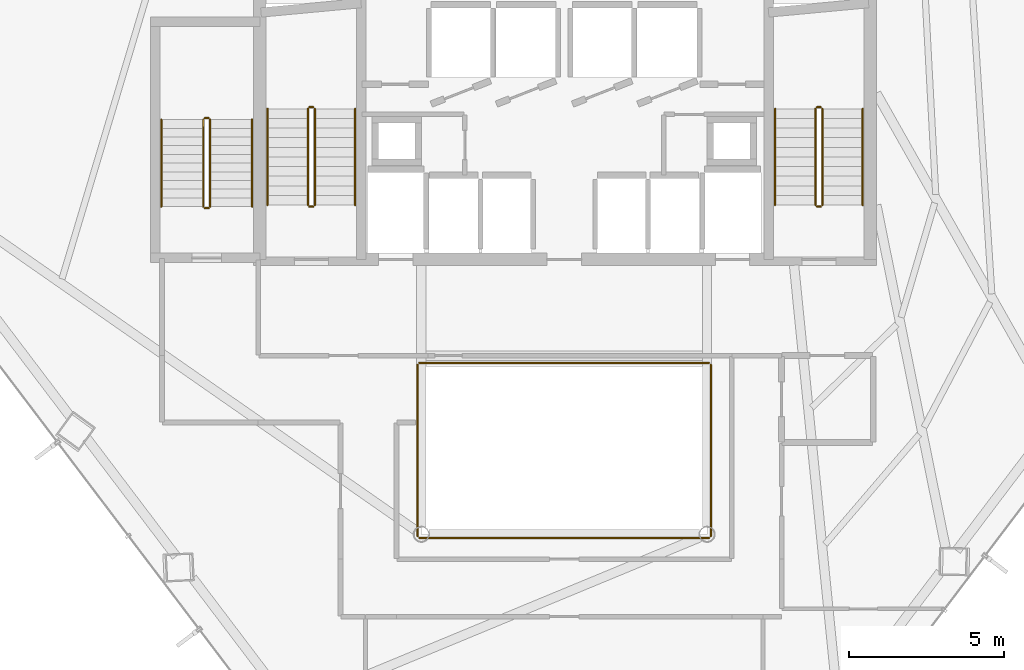
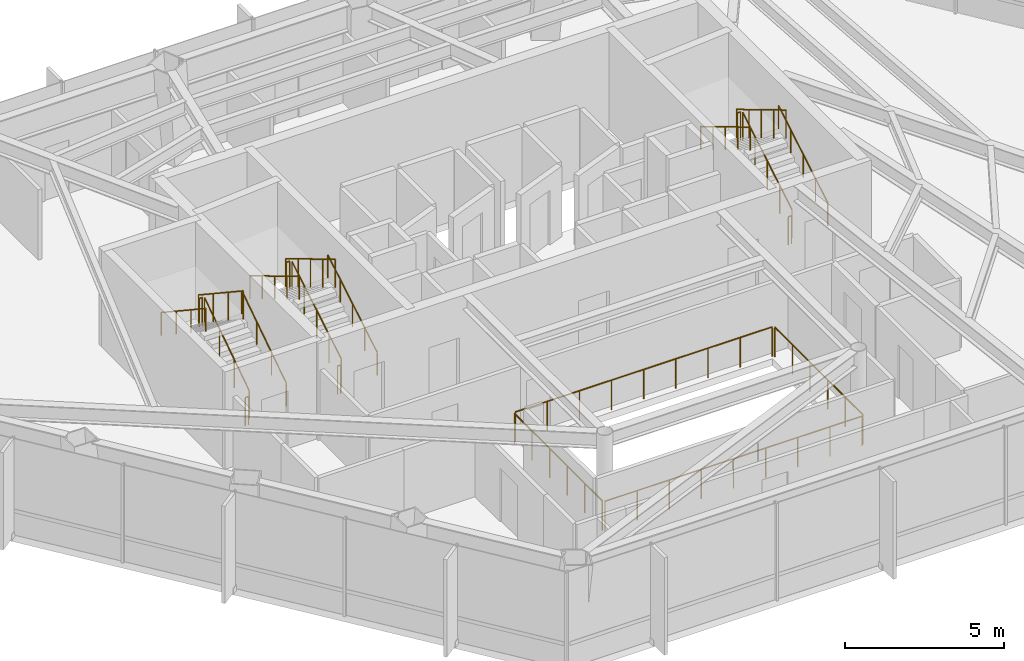
# One storey, part 25 of 25: 22 railings.
"""IFC4 building model written with IfcOpenShell, lengths in metres."""

from ifc_helpers import new_model, si_unit, direction, frame, origin, origin_2d, place, context, subcontext, project, spatial, circle, extrude, material, type_object, element, save


model = new_model("IFC4")

# Units and contexts
model_context = context("Model", 3, precision=1e-05, world=origin(), true_north=direction((0.0, 1.0)))
body_context = subcontext(model_context, "Body", "Model", "MODEL_VIEW")
ifc_project = project(units=[si_unit("LENGTHUNIT", "METRE"), si_unit("AREAUNIT", "SQUARE_METRE"), si_unit("VOLUMEUNIT", "CUBIC_METRE"), si_unit("PLANEANGLEUNIT", "RADIAN"), si_unit("MASSUNIT", "GRAM", prefix="KILO")], contexts=[model_context])

# Site, building, storey
site_placement = place(None, origin())
site = spatial("IfcSite", under=ifc_project, at=site_placement, CompositionType="ELEMENT")
building_placement = place(site_placement, origin())
building = spatial("IfcBuilding", under=site, at=building_placement, Name="Zarrinselat Tower", CompositionType="ELEMENT")
storey_placement = place(building_placement, frame((0.0, 0.0, 105.06005859375)))
storey = spatial("IfcBuildingStorey", under=building, at=storey_placement, Name="L25", CompositionType="ELEMENT", Elevation=105.06005859375)

# Railings
ifc_material_1 = material(Name="Double Low-E Laminated Solar Glass", Category="glass")
railing_type_1 = type_object("IfcRailingType", Name="RLG-ATRIUM-BAL", PredefinedType="BALUSTRADE", material=ifc_material_1)
railing_1_placement = place(storey_placement, frame((33.739990234375, 24.280029296875, 0.0)))
element("IfcRailing", 1, at=railing_1_placement, inside=storey, type_object=railing_type_1, Name="L25 Atrium Void Glass Balustrade S", PredefinedType="BALUSTRADE", context=body_context, shape_type="SweptSolid", body=[
    extrude(circle(Radius=0.02392578125, at=origin_2d()), frame((0.0, 0.0, 1.1259765625), z_axis=(1.0, 0.0, 0.0), x_axis=(0.0, 1.0, 0.0)), (0.0, 0.0, 1.0), 9.320068359375),
    extrude(circle(Radius=0.02099609375, at=origin_2d()), origin(), (0.0, 0.0, 1.0), 1.099853515625),
    extrude(circle(Radius=0.02099609375, at=origin_2d()), frame((1.1650390625, 0.0, 0.0)), (0.0, 0.0, 1.0), 1.099853515625),
    extrude(circle(Radius=0.02099609375, at=origin_2d()), frame((2.330078125, 0.0, 0.0)), (0.0, 0.0, 1.0), 1.099853515625),
    extrude(circle(Radius=0.02099609375, at=origin_2d()), frame((3.4951171875, 0.0, 0.0)), (0.0, 0.0, 1.0), 1.099853515625),
    extrude(circle(Radius=0.02099609375, at=origin_2d()), frame((4.66015625, 0.0, 0.0)), (0.0, 0.0, 1.0), 1.099853515625),
    extrude(circle(Radius=0.02099609375, at=origin_2d()), frame((5.824951171875, 0.0, 0.0)), (0.0, 0.0, 1.0), 1.099853515625),
    extrude(circle(Radius=0.02099609375, at=origin_2d()), frame((6.989990234375, 0.0, 0.0)), (0.0, 0.0, 1.0), 1.099853515625),
    extrude(circle(Radius=0.02099609375, at=origin_2d()), frame((8.155029296875, 0.0, 0.0)), (0.0, 0.0, 1.0), 1.099853515625),
    extrude(circle(Radius=0.02099609375, at=origin_2d()), frame((9.320068359375, 0.0, 0.0)), (0.0, 0.0, 1.0), 1.099853515625),
])
railing_2_placement = place(storey_placement, frame((43.1201171875, 24.340087890625, 0.0)))
element("IfcRailing", 2, at=railing_2_placement, inside=storey, type_object=railing_type_1, Name="L25 Atrium Void Glass Balustrade E", PredefinedType="BALUSTRADE", context=body_context, shape_type="SweptSolid", body=[
    extrude(circle(Radius=0.02392578125, at=origin_2d()), frame((0.0, 0.0, 1.1259765625), z_axis=(0.0, 1.0, 0.0), x_axis=(-1.0, 0.0, 0.0)), (0.0, 0.0, 1.0), 5.52001953125),
    extrude(circle(Radius=0.02099609375, at=origin_2d()), origin(), (0.0, 0.0, 1.0), 1.099853515625),
    extrude(circle(Radius=0.02099609375, at=origin_2d()), frame((0.0, 1.10400390625, 0.0)), (0.0, 0.0, 1.0), 1.099853515625),
    extrude(circle(Radius=0.02099609375, at=origin_2d()), frame((0.0, 2.2080078125, 0.0)), (0.0, 0.0, 1.0), 1.099853515625),
    extrude(circle(Radius=0.02099609375, at=origin_2d()), frame((0.0, 3.31201171875, 0.0)), (0.0, 0.0, 1.0), 1.099853515625),
    extrude(circle(Radius=0.02099609375, at=origin_2d()), frame((0.0, 4.416015625, 0.0)), (0.0, 0.0, 1.0), 1.099853515625),
    extrude(circle(Radius=0.02099609375, at=origin_2d()), frame((0.0, 5.52001953125, 0.0)), (0.0, 0.0, 1.0), 1.099853515625),
])
railing_3_placement = place(storey_placement, frame((43.06005859375, 29.919921875, 0.0)))
element("IfcRailing", 3, at=railing_3_placement, inside=storey, type_object=railing_type_1, Name="L25 Atrium Void Glass Balustrade N", PredefinedType="BALUSTRADE", context=body_context, shape_type="SweptSolid", body=[
    extrude(circle(Radius=0.02392578125, at=origin_2d()), frame((0.0, 0.0, 1.1259765625), z_axis=(-1.0, 0.0, 0.0), x_axis=(0.0, -1.0, 0.0)), (0.0, 0.0, 1.0), 9.320068359375),
    extrude(circle(Radius=0.02099609375, at=origin_2d()), origin(), (0.0, 0.0, 1.0), 1.099853515625),
    extrude(circle(Radius=0.02099609375, at=origin_2d()), frame((-1.1650390625, 0.0, 0.0)), (0.0, 0.0, 1.0), 1.099853515625),
    extrude(circle(Radius=0.02099609375, at=origin_2d()), frame((-2.330078125, 0.0, 0.0)), (0.0, 0.0, 1.0), 1.099853515625),
    extrude(circle(Radius=0.02099609375, at=origin_2d()), frame((-3.4951171875, 0.0, 0.0)), (0.0, 0.0, 1.0), 1.099853515625),
    extrude(circle(Radius=0.02099609375, at=origin_2d()), frame((-4.66015625, 0.0, 0.0)), (0.0, 0.0, 1.0), 1.099853515625),
    extrude(circle(Radius=0.02099609375, at=origin_2d()), frame((-5.824951171875, 0.0, 0.0)), (0.0, 0.0, 1.0), 1.099853515625),
    extrude(circle(Radius=0.02099609375, at=origin_2d()), frame((-6.989990234375, 0.0, 0.0)), (0.0, 0.0, 1.0), 1.099853515625),
    extrude(circle(Radius=0.02099609375, at=origin_2d()), frame((-8.155029296875, 0.0, 0.0)), (0.0, 0.0, 1.0), 1.099853515625),
    extrude(circle(Radius=0.02099609375, at=origin_2d()), frame((-9.320068359375, 0.0, 0.0)), (0.0, 0.0, 1.0), 1.099853515625),
])
railing_4_placement = place(storey_placement, frame((33.679931640625, 29.860107421875, 0.0)))
element("IfcRailing", 4, at=railing_4_placement, inside=storey, type_object=railing_type_1, Name="L25 Atrium Void Glass Balustrade W", PredefinedType="BALUSTRADE", context=body_context, shape_type="SweptSolid", body=[
    extrude(circle(Radius=0.02392578125, at=origin_2d()), frame((0.0, 0.0, 1.1259765625), z_axis=(0.0, -1.0, 0.0), x_axis=(1.0, 0.0, 0.0)), (0.0, 0.0, 1.0), 5.52001953125),
    extrude(circle(Radius=0.02099609375, at=origin_2d()), origin(), (0.0, 0.0, 1.0), 1.099853515625),
    extrude(circle(Radius=0.02099609375, at=origin_2d()), frame((0.0, -1.10400390625, 0.0)), (0.0, 0.0, 1.0), 1.099853515625),
    extrude(circle(Radius=0.02099609375, at=origin_2d()), frame((0.0, -2.2080078125, 0.0)), (0.0, 0.0, 1.0), 1.099853515625),
    extrude(circle(Radius=0.02099609375, at=origin_2d()), frame((0.0, -3.31201171875, 0.0)), (0.0, 0.0, 1.0), 1.099853515625),
    extrude(circle(Radius=0.02099609375, at=origin_2d()), frame((0.0, -4.416015625, 0.0)), (0.0, 0.0, 1.0), 1.099853515625),
    extrude(circle(Radius=0.02099609375, at=origin_2d()), frame((0.0, -5.52001953125, 0.0)), (0.0, 0.0, 1.0), 1.099853515625),
])
ifc_material_2 = material(Name="Steel S355J2", Category="steel")
railing_type_2 = type_object("IfcRailingType", Name="RLG-STAIR-GUARD", PredefinedType="GUARDRAIL", material=ifc_material_2)
railing_5_placement = place(storey_placement, frame((30.3701171875, 35.0, 0.185302734375)))
element("IfcRailing", 5, at=railing_5_placement, inside=storey, type_object=railing_type_2, Name="L25 ST-1 stair guard 1", PredefinedType="GUARDRAIL", context=body_context, shape_type="SweptSolid", body=[
    extrude(circle(Radius=0.02392578125, at=origin_2d()), frame((0.0, 0.0, 1.076171875), z_axis=(0.0, 0.858142210651, 0.513412062869), x_axis=(-1.0, 0.0, 0.0)), (0.0, 0.0, 1.0), 3.612548828125),
    extrude(circle(Radius=0.02099609375, at=origin_2d()), origin(), (0.0, 0.0, 1.0), 1.050048828125),
    extrude(circle(Radius=0.02099609375, at=origin_2d()), frame((0.0, 0.77490234375, 0.463623046875)), (0.0, 0.0, 1.0), 1.050048828125),
    extrude(circle(Radius=0.02099609375, at=origin_2d()), frame((0.0, 1.550048828125, 0.92724609375)), (0.0, 0.0, 1.0), 1.050048828125),
    extrude(circle(Radius=0.02099609375, at=origin_2d()), frame((0.0, 2.3251953125, 1.39111328125)), (0.0, 0.0, 1.0), 1.050048828125),
    extrude(circle(Radius=0.02099609375, at=origin_2d()), frame((0.0, 3.10009765625, 1.854736328125)), (0.0, 0.0, 1.0), 1.050048828125),
])
railing_6_placement = place(storey_placement, frame((30.320068359375, 38.14990234375, 2.0400390625)))
element("IfcRailing", 6, at=railing_6_placement, inside=storey, type_object=railing_type_2, Name="L25 ST-1 stair guard 2", PredefinedType="GUARDRAIL", context=body_context, shape_type="SweptSolid", body=[
    extrude(circle(Radius=0.02392578125, at=origin_2d()), frame((0.0, 0.0, 1.076171875), z_axis=(-1.0, 0.0, 0.0), x_axis=(0.0, -1.0, 0.0)), (0.0, 0.0, 1.0), 0.1201171875),
    extrude(circle(Radius=0.02099609375, at=origin_2d()), origin(), (0.0, 0.0, 1.0), 1.050048828125),
    extrude(circle(Radius=0.02099609375, at=origin_2d()), frame((-0.1201171875, 0.0, 0.0)), (0.0, 0.0, 1.0), 1.050048828125),
])
railing_7_placement = place(storey_placement, frame((30.14990234375, 38.10009765625, 2.225341796875)))
element("IfcRailing", 7, at=railing_7_placement, inside=storey, type_object=railing_type_2, Name="L25 ST-1 stair guard 3", PredefinedType="GUARDRAIL", context=body_context, shape_type="SweptSolid", body=[
    extrude(circle(Radius=0.02392578125, at=origin_2d()), frame((0.0, 0.0, 1.076171875), z_axis=(0.0, -0.858171985069, 0.513362293163), x_axis=(1.0, 0.0, 0.0)), (0.0, 0.0, 1.0), 3.612548828125),
    extrude(circle(Radius=0.02099609375, at=origin_2d()), origin(), (0.0, 0.0, 1.0), 1.050048828125),
    extrude(circle(Radius=0.02099609375, at=origin_2d()), frame((0.0, -0.77490234375, 0.463623046875)), (0.0, 0.0, 1.0), 1.050048828125),
    extrude(circle(Radius=0.02099609375, at=origin_2d()), frame((0.0, -1.550048828125, 0.92724609375)), (0.0, 0.0, 1.0), 1.050048828125),
    extrude(circle(Radius=0.02099609375, at=origin_2d()), frame((0.0, -2.3251953125, 1.390869140625)), (0.0, 0.0, 1.0), 1.050048828125),
    extrude(circle(Radius=0.02099609375, at=origin_2d()), frame((0.0, -3.10009765625, 1.8544921875)), (0.0, 0.0, 1.0), 1.050048828125),
])
railing_8_placement = place(storey_placement, frame((30.320068359375, 34.949951171875, 0.0)))
element("IfcRailing", 8, at=railing_8_placement, inside=storey, type_object=railing_type_2, Name="L25 ST-1 stair guard 4", PredefinedType="GUARDRAIL", context=body_context, shape_type="SweptSolid", body=[
    extrude(circle(Radius=0.02392578125, at=origin_2d()), frame((0.0, 0.0, 1.076171875), z_axis=(-1.0, 0.0, 0.0), x_axis=(0.0, -1.0, 0.0)), (0.0, 0.0, 1.0), 0.1201171875),
    extrude(circle(Radius=0.02099609375, at=origin_2d()), origin(), (0.0, 0.0, 1.0), 1.050048828125),
    extrude(circle(Radius=0.02099609375, at=origin_2d()), frame((-0.1201171875, 0.0, 0.0)), (0.0, 0.0, 1.0), 1.050048828125),
])
railing_9_placement = place(storey_placement, frame((46.7099609375, 35.0, 0.185302734375)))
element("IfcRailing", 9, at=railing_9_placement, inside=storey, type_object=railing_type_2, Name="L25 ST-2 stair guard 1", PredefinedType="GUARDRAIL", context=body_context, shape_type="SweptSolid", body=[
    extrude(circle(Radius=0.02392578125, at=origin_2d()), frame((0.0, 0.0, 1.076171875), z_axis=(0.0, 0.858142210651, 0.513412062869), x_axis=(-1.0, 0.0, 0.0)), (0.0, 0.0, 1.0), 3.612548828125),
    extrude(circle(Radius=0.02099609375, at=origin_2d()), origin(), (0.0, 0.0, 1.0), 1.050048828125),
    extrude(circle(Radius=0.02099609375, at=origin_2d()), frame((0.0, 0.77490234375, 0.463623046875)), (0.0, 0.0, 1.0), 1.050048828125),
    extrude(circle(Radius=0.02099609375, at=origin_2d()), frame((0.0, 1.550048828125, 0.92724609375)), (0.0, 0.0, 1.0), 1.050048828125),
    extrude(circle(Radius=0.02099609375, at=origin_2d()), frame((0.0, 2.3251953125, 1.39111328125)), (0.0, 0.0, 1.0), 1.050048828125),
    extrude(circle(Radius=0.02099609375, at=origin_2d()), frame((0.0, 3.10009765625, 1.854736328125)), (0.0, 0.0, 1.0), 1.050048828125),
])
railing_10_placement = place(storey_placement, frame((46.659912109375, 38.14990234375, 2.0400390625)))
element("IfcRailing", 10, at=railing_10_placement, inside=storey, type_object=railing_type_2, Name="L25 ST-2 stair guard 2", PredefinedType="GUARDRAIL", context=body_context, shape_type="SweptSolid", body=[
    extrude(circle(Radius=0.02392578125, at=origin_2d()), frame((0.0, 0.0, 1.076171875), z_axis=(-1.0, 0.0, 0.0), x_axis=(0.0, -1.0, 0.0)), (0.0, 0.0, 1.0), 0.119873046875),
    extrude(circle(Radius=0.02099609375, at=origin_2d()), origin(), (0.0, 0.0, 1.0), 1.050048828125),
    extrude(circle(Radius=0.02099609375, at=origin_2d()), frame((-0.119873046875, 0.0, 0.0)), (0.0, 0.0, 1.0), 1.050048828125),
])
railing_11_placement = place(storey_placement, frame((46.489990234375, 38.10009765625, 2.225341796875)))
element("IfcRailing", 11, at=railing_11_placement, inside=storey, type_object=railing_type_2, Name="L25 ST-2 stair guard 3", PredefinedType="GUARDRAIL", context=body_context, shape_type="SweptSolid", body=[
    extrude(circle(Radius=0.02392578125, at=origin_2d()), frame((0.0, 0.0, 1.076171875), z_axis=(0.0, -0.858171985069, 0.513362293163), x_axis=(1.0, 0.0, 0.0)), (0.0, 0.0, 1.0), 3.612548828125),
    extrude(circle(Radius=0.02099609375, at=origin_2d()), origin(), (0.0, 0.0, 1.0), 1.050048828125),
    extrude(circle(Radius=0.02099609375, at=origin_2d()), frame((0.0, -0.77490234375, 0.463623046875)), (0.0, 0.0, 1.0), 1.050048828125),
    extrude(circle(Radius=0.02099609375, at=origin_2d()), frame((0.0, -1.550048828125, 0.92724609375)), (0.0, 0.0, 1.0), 1.050048828125),
    extrude(circle(Radius=0.02099609375, at=origin_2d()), frame((0.0, -2.3251953125, 1.390869140625)), (0.0, 0.0, 1.0), 1.050048828125),
    extrude(circle(Radius=0.02099609375, at=origin_2d()), frame((0.0, -3.10009765625, 1.8544921875)), (0.0, 0.0, 1.0), 1.050048828125),
])
railing_12_placement = place(storey_placement, frame((46.659912109375, 34.949951171875, 0.0)))
element("IfcRailing", 12, at=railing_12_placement, inside=storey, type_object=railing_type_2, Name="L25 ST-2 stair guard 4", PredefinedType="GUARDRAIL", context=body_context, shape_type="SweptSolid", body=[
    extrude(circle(Radius=0.02392578125, at=origin_2d()), frame((0.0, 0.0, 1.076171875), z_axis=(-1.0, 0.0, 0.0), x_axis=(0.0, -1.0, 0.0)), (0.0, 0.0, 1.0), 0.119873046875),
    extrude(circle(Radius=0.02099609375, at=origin_2d()), origin(), (0.0, 0.0, 1.0), 1.050048828125),
    extrude(circle(Radius=0.02099609375, at=origin_2d()), frame((-0.119873046875, 0.0, 0.0)), (0.0, 0.0, 1.0), 1.050048828125),
])
railing_13_placement = place(storey_placement, frame((27.0, 34.949951171875, 0.185302734375)))
element("IfcRailing", 13, at=railing_13_placement, inside=storey, type_object=railing_type_2, Name="L25 ST-3 stair guard 1", PredefinedType="GUARDRAIL", context=body_context, shape_type="SweptSolid", body=[
    extrude(circle(Radius=0.02392578125, at=origin_2d()), frame((0.0, 0.0, 1.076171875), z_axis=(0.0, 0.833690570297, 0.55223186525), x_axis=(-1.0, 0.0, 0.0)), (0.0, 0.0, 1.0), 3.358642578125),
    extrude(circle(Radius=0.02099609375, at=origin_2d()), origin(), (0.0, 0.0, 1.0), 1.050048828125),
    extrude(circle(Radius=0.02099609375, at=origin_2d()), frame((0.0, 0.933349609375, 0.6181640625)), (0.0, 0.0, 1.0), 1.050048828125),
    extrude(circle(Radius=0.02099609375, at=origin_2d()), frame((0.0, 1.86669921875, 1.236572265625)), (0.0, 0.0, 1.0), 1.050048828125),
    extrude(circle(Radius=0.02099609375, at=origin_2d()), frame((0.0, 2.800048828125, 1.854736328125)), (0.0, 0.0, 1.0), 1.050048828125),
])
railing_14_placement = place(storey_placement, frame((26.949951171875, 37.800048828125, 2.0400390625)))
element("IfcRailing", 14, at=railing_14_placement, inside=storey, type_object=railing_type_2, Name="L25 ST-3 stair guard 2", PredefinedType="GUARDRAIL", context=body_context, shape_type="SweptSolid", body=[
    extrude(circle(Radius=0.02392578125, at=origin_2d()), frame((0.0, 0.0, 1.076171875), z_axis=(-1.0, 0.0, 0.0), x_axis=(0.0, -1.0, 0.0)), (0.0, 0.0, 1.0), 0.119873046875),
    extrude(circle(Radius=0.02099609375, at=origin_2d()), origin(), (0.0, 0.0, 1.0), 1.050048828125),
    extrude(circle(Radius=0.02099609375, at=origin_2d()), frame((-0.119873046875, 0.0, 0.0)), (0.0, 0.0, 1.0), 1.050048828125),
])
railing_15_placement = place(storey_placement, frame((26.780029296875, 37.75, 2.225341796875)))
element("IfcRailing", 15, at=railing_15_placement, inside=storey, type_object=railing_type_2, Name="L25 ST-3 stair guard 3", PredefinedType="GUARDRAIL", context=body_context, shape_type="SweptSolid", body=[
    extrude(circle(Radius=0.02392578125, at=origin_2d()), frame((0.0, 0.0, 1.076171875), z_axis=(0.0, -0.833724036255, 0.552181339209), x_axis=(1.0, 0.0, 0.0)), (0.0, 0.0, 1.0), 3.3583984375),
    extrude(circle(Radius=0.02099609375, at=origin_2d()), origin(), (0.0, 0.0, 1.0), 1.050048828125),
    extrude(circle(Radius=0.02099609375, at=origin_2d()), frame((0.0, -0.933349609375, 0.6181640625)), (0.0, 0.0, 1.0), 1.050048828125),
    extrude(circle(Radius=0.02099609375, at=origin_2d()), frame((0.0, -1.86669921875, 1.236328125)), (0.0, 0.0, 1.0), 1.050048828125),
    extrude(circle(Radius=0.02099609375, at=origin_2d()), frame((0.0, -2.800048828125, 1.8544921875)), (0.0, 0.0, 1.0), 1.050048828125),
])
railing_16_placement = place(storey_placement, frame((26.949951171875, 34.89990234375, 0.0)))
element("IfcRailing", 16, at=railing_16_placement, inside=storey, type_object=railing_type_2, Name="L25 ST-3 stair guard 4", PredefinedType="GUARDRAIL", context=body_context, shape_type="SweptSolid", body=[
    extrude(circle(Radius=0.02392578125, at=origin_2d()), frame((0.0, 0.0, 1.076171875), z_axis=(-1.0, 0.0, 0.0), x_axis=(0.0, -1.0, 0.0)), (0.0, 0.0, 1.0), 0.119873046875),
    extrude(circle(Radius=0.02099609375, at=origin_2d()), origin(), (0.0, 0.0, 1.0), 1.050048828125),
    extrude(circle(Radius=0.02099609375, at=origin_2d()), frame((-0.119873046875, 0.0, 0.0)), (0.0, 0.0, 1.0), 1.050048828125),
])
ifc_material_3 = material(Name="Steel S355J2", Category="steel")
railing_type_3 = type_object("IfcRailingType", Name="RLG-STAIR-HAND", PredefinedType="HANDRAIL", material=ifc_material_3)
railing_17_placement = place(storey_placement, frame((31.669921875, 35.0, 0.185302734375)))
element("IfcRailing", 17, at=railing_17_placement, inside=storey, type_object=railing_type_3, Name="L25 ST-1 stair handrail 1", PredefinedType="HANDRAIL", context=body_context, shape_type="SweptSolid", body=[
    extrude(circle(Radius=0.02392578125, at=origin_2d()), frame((0.0, 0.0, 0.8759765625), z_axis=(0.0, 0.858142210651, 0.513412062869), x_axis=(-1.0, 0.0, 0.0)), (0.0, 0.0, 1.0), 3.612548828125),
    extrude(circle(Radius=0.02099609375, at=origin_2d()), origin(), (0.0, 0.0, 1.0), 0.849853515625),
    extrude(circle(Radius=0.02099609375, at=origin_2d()), frame((0.0, 0.77490234375, 0.463623046875)), (0.0, 0.0, 1.0), 0.849853515625),
    extrude(circle(Radius=0.02099609375, at=origin_2d()), frame((0.0, 1.550048828125, 0.92724609375)), (0.0, 0.0, 1.0), 0.849853515625),
    extrude(circle(Radius=0.02099609375, at=origin_2d()), frame((0.0, 2.3251953125, 1.39111328125)), (0.0, 0.0, 1.0), 0.849853515625),
    extrude(circle(Radius=0.02099609375, at=origin_2d()), frame((0.0, 3.10009765625, 1.854736328125)), (0.0, 0.0, 1.0), 0.849853515625),
])
railing_18_placement = place(storey_placement, frame((28.85009765625, 38.10009765625, 2.225341796875)))
element("IfcRailing", 18, at=railing_18_placement, inside=storey, type_object=railing_type_3, Name="L25 ST-1 stair handrail 2", PredefinedType="HANDRAIL", context=body_context, shape_type="SweptSolid", body=[
    extrude(circle(Radius=0.02392578125, at=origin_2d()), frame((0.0, 0.0, 0.8759765625), z_axis=(0.0, -0.858171985069, 0.513362293163), x_axis=(1.0, 0.0, 0.0)), (0.0, 0.0, 1.0), 3.612548828125),
    extrude(circle(Radius=0.02099609375, at=origin_2d()), origin(), (0.0, 0.0, 1.0), 0.849853515625),
    extrude(circle(Radius=0.02099609375, at=origin_2d()), frame((0.0, -0.77490234375, 0.463623046875)), (0.0, 0.0, 1.0), 0.849853515625),
    extrude(circle(Radius=0.02099609375, at=origin_2d()), frame((0.0, -1.550048828125, 0.92724609375)), (0.0, 0.0, 1.0), 0.849853515625),
    extrude(circle(Radius=0.02099609375, at=origin_2d()), frame((0.0, -2.3251953125, 1.390869140625)), (0.0, 0.0, 1.0), 0.849853515625),
    extrude(circle(Radius=0.02099609375, at=origin_2d()), frame((0.0, -3.10009765625, 1.8544921875)), (0.0, 0.0, 1.0), 0.849853515625),
])
railing_19_placement = place(storey_placement, frame((48.010009765625, 35.0, 0.185302734375)))
element("IfcRailing", 19, at=railing_19_placement, inside=storey, type_object=railing_type_3, Name="L25 ST-2 stair handrail 1", PredefinedType="HANDRAIL", context=body_context, shape_type="SweptSolid", body=[
    extrude(circle(Radius=0.02392578125, at=origin_2d()), frame((0.0, 0.0, 0.8759765625), z_axis=(0.0, 0.858142210651, 0.513412062869), x_axis=(-1.0, 0.0, 0.0)), (0.0, 0.0, 1.0), 3.612548828125),
    extrude(circle(Radius=0.02099609375, at=origin_2d()), origin(), (0.0, 0.0, 1.0), 0.849853515625),
    extrude(circle(Radius=0.02099609375, at=origin_2d()), frame((0.0, 0.77490234375, 0.463623046875)), (0.0, 0.0, 1.0), 0.849853515625),
    extrude(circle(Radius=0.02099609375, at=origin_2d()), frame((0.0, 1.550048828125, 0.92724609375)), (0.0, 0.0, 1.0), 0.849853515625),
    extrude(circle(Radius=0.02099609375, at=origin_2d()), frame((0.0, 2.3251953125, 1.39111328125)), (0.0, 0.0, 1.0), 0.849853515625),
    extrude(circle(Radius=0.02099609375, at=origin_2d()), frame((0.0, 3.10009765625, 1.854736328125)), (0.0, 0.0, 1.0), 0.849853515625),
])
railing_20_placement = place(storey_placement, frame((45.18994140625, 38.10009765625, 2.225341796875)))
element("IfcRailing", 20, at=railing_20_placement, inside=storey, type_object=railing_type_3, Name="L25 ST-2 stair handrail 2", PredefinedType="HANDRAIL", context=body_context, shape_type="SweptSolid", body=[
    extrude(circle(Radius=0.02392578125, at=origin_2d()), frame((0.0, 0.0, 0.8759765625), z_axis=(0.0, -0.858171985069, 0.513362293163), x_axis=(1.0, 0.0, 0.0)), (0.0, 0.0, 1.0), 3.612548828125),
    extrude(circle(Radius=0.02099609375, at=origin_2d()), origin(), (0.0, 0.0, 1.0), 0.849853515625),
    extrude(circle(Radius=0.02099609375, at=origin_2d()), frame((0.0, -0.77490234375, 0.463623046875)), (0.0, 0.0, 1.0), 0.849853515625),
    extrude(circle(Radius=0.02099609375, at=origin_2d()), frame((0.0, -1.550048828125, 0.92724609375)), (0.0, 0.0, 1.0), 0.849853515625),
    extrude(circle(Radius=0.02099609375, at=origin_2d()), frame((0.0, -2.3251953125, 1.390869140625)), (0.0, 0.0, 1.0), 0.849853515625),
    extrude(circle(Radius=0.02099609375, at=origin_2d()), frame((0.0, -3.10009765625, 1.8544921875)), (0.0, 0.0, 1.0), 0.849853515625),
])
railing_21_placement = place(storey_placement, frame((28.35009765625, 34.949951171875, 0.185302734375)))
element("IfcRailing", 21, at=railing_21_placement, inside=storey, type_object=railing_type_3, Name="L25 ST-3 stair handrail 1", PredefinedType="HANDRAIL", context=body_context, shape_type="SweptSolid", body=[
    extrude(circle(Radius=0.02392578125, at=origin_2d()), frame((0.0, 0.0, 0.8759765625), z_axis=(0.0, 0.833690570297, 0.55223186525), x_axis=(-1.0, 0.0, 0.0)), (0.0, 0.0, 1.0), 3.358642578125),
    extrude(circle(Radius=0.02099609375, at=origin_2d()), origin(), (0.0, 0.0, 1.0), 0.849853515625),
    extrude(circle(Radius=0.02099609375, at=origin_2d()), frame((0.0, 0.933349609375, 0.6181640625)), (0.0, 0.0, 1.0), 0.849853515625),
    extrude(circle(Radius=0.02099609375, at=origin_2d()), frame((0.0, 1.86669921875, 1.236572265625)), (0.0, 0.0, 1.0), 0.849853515625),
    extrude(circle(Radius=0.02099609375, at=origin_2d()), frame((0.0, 2.800048828125, 1.854736328125)), (0.0, 0.0, 1.0), 0.849853515625),
])
railing_22_placement = place(storey_placement, frame((25.429931640625, 37.75, 2.225341796875)))
element("IfcRailing", 22, at=railing_22_placement, inside=storey, type_object=railing_type_3, Name="L25 ST-3 stair handrail 2", PredefinedType="HANDRAIL", context=body_context, shape_type="SweptSolid", body=[
    extrude(circle(Radius=0.02392578125, at=origin_2d()), frame((0.0, 0.0, 0.8759765625), z_axis=(0.0, -0.833724036255, 0.552181339209), x_axis=(1.0, 0.0, 0.0)), (0.0, 0.0, 1.0), 3.3583984375),
    extrude(circle(Radius=0.02099609375, at=origin_2d()), origin(), (0.0, 0.0, 1.0), 0.849853515625),
    extrude(circle(Radius=0.02099609375, at=origin_2d()), frame((0.0, -0.933349609375, 0.6181640625)), (0.0, 0.0, 1.0), 0.849853515625),
    extrude(circle(Radius=0.02099609375, at=origin_2d()), frame((0.0, -1.86669921875, 1.236328125)), (0.0, 0.0, 1.0), 0.849853515625),
    extrude(circle(Radius=0.02099609375, at=origin_2d()), frame((0.0, -2.800048828125, 1.8544921875)), (0.0, 0.0, 1.0), 0.849853515625),
])

save(model, "model.ifc")
